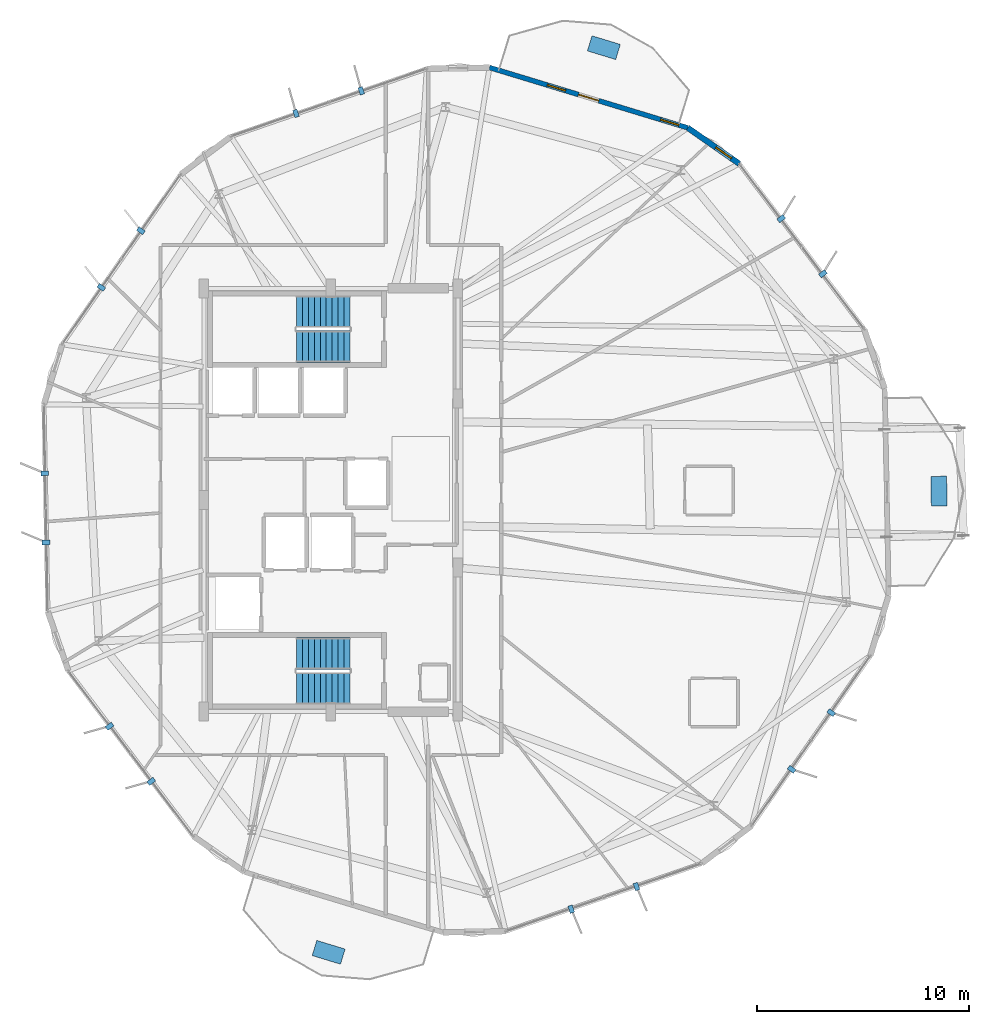
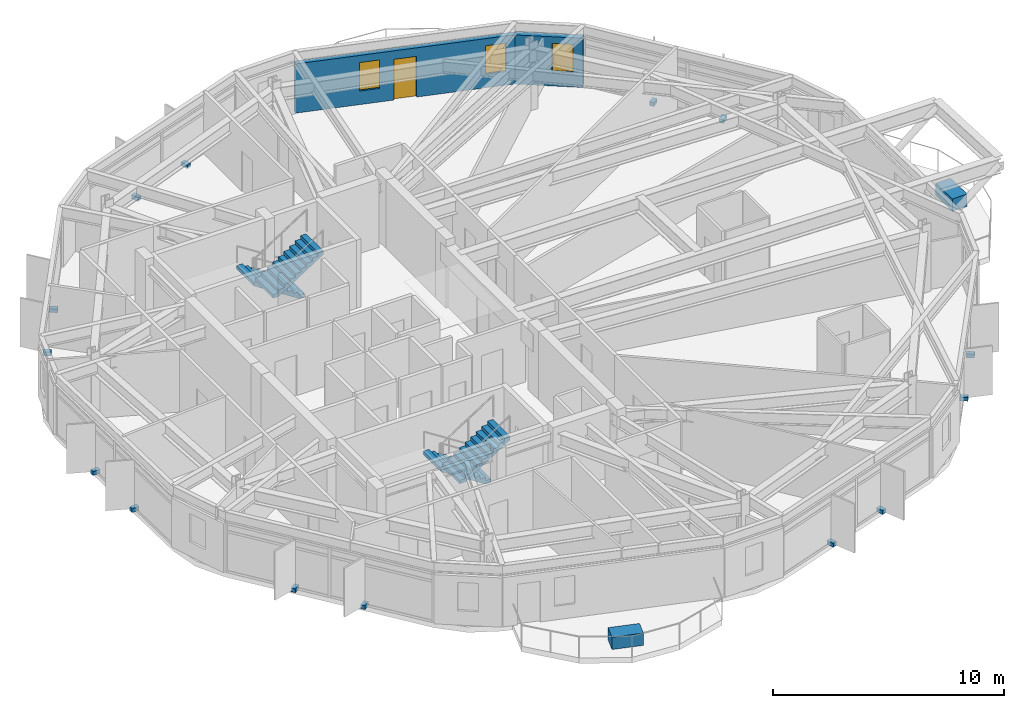
# One storey, part 31 of 34: 17 discrete accessories, 4 stair flights, 3 windows, 2 walls, 1 door, 4 openings, 2 elements without a shape of their own.
"""IFC4 building model written with IfcOpenShell, lengths in metres."""

from ifc_helpers import new_model, si_unit, direction, frame, frame_2d, origin, origin_2d, place, context, subcontext, project, spatial, polyline, rectangle, outline, extrude, material, layer, layer_set, type_object, element, fill, aggregate, save


model = new_model("IFC4")

# Units and contexts
model_context = context("Model", 3, precision=1e-05, world=origin(), true_north=direction((0.0, 1.0)))
body_context = subcontext(model_context, "Body", "Model", "MODEL_VIEW")
ifc_project = project(units=[si_unit("LENGTHUNIT", "METRE"), si_unit("AREAUNIT", "SQUARE_METRE"), si_unit("VOLUMEUNIT", "CUBIC_METRE"), si_unit("PLANEANGLEUNIT", "RADIAN"), si_unit("MASSUNIT", "GRAM", prefix="KILO")], contexts=[model_context])

# Site, building, storey
site_placement = place(None, origin())
site = spatial("IfcSite", under=ifc_project, at=site_placement, CompositionType="ELEMENT")
building_placement = place(site_placement, origin())
building = spatial("IfcBuilding", under=site, at=building_placement, Name="Soratama Intermodal Tower", CompositionType="ELEMENT")
storey_placement = place(building_placement, frame((0.0, 0.0, 233.800048828125)))
storey = spatial("IfcBuildingStorey", under=building, at=storey_placement, Name="L59", CompositionType="ELEMENT", Elevation=233.800048828125)

# Wall, openings, door, windows
ifc_material_1 = material(Name="Concrete f'c 42 MPa", Category="concrete")
ifc_layer_1 = layer(ifc_material_1, 0.22998046875)
ifc_layer_set_1 = layer_set([ifc_layer_1], Name="Concrete f'c 42 MPa")
wall_type_1 = type_object("IfcWallType", Name="EW-BAL-230", PredefinedType="SOLIDWALL", material=ifc_layer_set_1)
wall_1_placement = place(storey_placement, frame((55.4716796875, 42.5908203125, 0.0), z_axis=(0.0, 0.0, 1.0), x_axis=(-0.956709483024, 0.29104461014, 0.0)))
wall_1 = element("IfcWall", 1, at=wall_1_placement, inside=storey, type_object=wall_type_1, Name="L59 Terrace Wall F01", PredefinedType="SOLIDWALL", context=body_context, shape_type="SweptSolid", body=[
    extrude(rectangle(XDim=9.797607421875, YDim=0.22998046875, at=frame_2d((4.89892578125, 0.0))), origin(), (0.0, 0.0, 1.0), 2.598876953125),
])
opening_1_placement = place(wall_1_placement, frame((4.398681640625, 0.0, 0.0)))
opening_1 = element("IfcOpeningElement", 2, at=opening_1_placement, cuts=wall_1, Name="Opening ED-2", PredefinedType="OPENING", context=body_context, shape_type="SweptSolid", body=[
    extrude(rectangle(XDim=1.0, YDim=2.14990234375, at=frame_2d((0.5, 1.074951171875))), frame((0.0, 0.125, 0.0), z_axis=(0.0, -1.0, 0.0), x_axis=(1.0, 0.0, 0.0)), (0.0, 0.0, 1.0), 0.25),
])
opening_2_placement = place(wall_1_placement, frame((0.43994140625, 0.0, 0.719970703125)))
opening_2 = element("IfcOpeningElement", 3, at=opening_2_placement, cuts=wall_1, Name="Opening WN-6", PredefinedType="OPENING", context=body_context, shape_type="SweptSolid", body=[
    extrude(rectangle(XDim=0.89990234375, YDim=1.5, at=frame_2d((0.449951171875, 0.75))), frame((0.0, 0.125, 0.0), z_axis=(0.0, -1.0, 0.0), x_axis=(1.0, 0.0, 0.0)), (0.0, 0.0, 1.0), 0.25),
])
opening_3_placement = place(wall_1_placement, frame((6.038818359375, 0.0, 0.719970703125)))
opening_3 = element("IfcOpeningElement", 4, at=opening_3_placement, cuts=wall_1, Name="Opening WN-6", PredefinedType="OPENING", context=body_context, shape_type="SweptSolid", body=[
    extrude(rectangle(XDim=0.89990234375, YDim=1.5, at=frame_2d((0.449951171875, 0.75))), frame((0.0, 0.125, 0.0), z_axis=(0.0, -1.0, 0.0), x_axis=(1.0, 0.0, 0.0)), (0.0, 0.0, 1.0), 0.25),
])
ifc_material_2 = material(Name="Double-glazed aluminium door", Category="aluminium")
door_type = type_object("IfcDoorType", Name="DR-BAL-1000", OperationType="NOTDEFINED", PredefinedType="DOOR", material=ifc_material_2)
door_placement = place(opening_1_placement, origin())
door = element("IfcDoor", 5, at=door_placement, inside=storey, type_object=door_type, Name="L59 Balcony Door F01", OperationType="SINGLE_SWING_LEFT", OverallHeight=2.14990234375, OverallWidth=1.0, PredefinedType="DOOR", context=body_context, shape_type="SweptSolid", body=[
    extrude(rectangle(XDim=1.0, YDim=2.14990234375, at=frame_2d((0.5, 1.074951171875))), frame((0.0, 0.02490234375, 0.0), z_axis=(0.0, -1.0, 0.0), x_axis=(1.0, 0.0, 0.0)), (0.0, 0.0, 1.0), 0.050048828125),
])
fill(opening_1, door)
ifc_material_3 = material(Name="Double-glazed aluminium window", Category="aluminium")
window_type = type_object("IfcWindowType", Name="WN-FAC-900", PartitioningType="SINGLE_PANEL", PredefinedType="WINDOW", material=ifc_material_3)
window_1_placement = place(opening_2_placement, origin())
window_1 = element("IfcWindow", 6, at=window_1_placement, inside=storey, type_object=window_type, Name="L59 Window A F01", OverallHeight=1.5, OverallWidth=0.89990234375, PartitioningType="SINGLE_PANEL", PredefinedType="WINDOW", context=body_context, shape_type="SweptSolid", body=[
    extrude(rectangle(XDim=0.89990234375, YDim=1.5, at=frame_2d((0.449951171875, 0.75))), frame((0.0, 0.030029296875, 0.0), z_axis=(0.0, -1.0, 0.0), x_axis=(1.0, 0.0, 0.0)), (0.0, 0.0, 1.0), 0.06005859375),
])
fill(opening_2, window_1)
window_2_placement = place(opening_3_placement, origin())
window_2 = element("IfcWindow", 7, at=window_2_placement, inside=storey, type_object=window_type, Name="L59 Window B F01", OverallHeight=1.5, OverallWidth=0.89990234375, PartitioningType="SINGLE_PANEL", PredefinedType="WINDOW", context=body_context, shape_type="SweptSolid", body=[
    extrude(rectangle(XDim=0.89990234375, YDim=1.5, at=frame_2d((0.449951171875, 0.75))), frame((0.0, 0.030029296875, 0.0), z_axis=(0.0, -1.0, 0.0), x_axis=(1.0, 0.0, 0.0)), (0.0, 0.0, 1.0), 0.06005859375),
])
fill(opening_3, window_2)

# Wall, opening, window
ifc_material_4 = material(Name="Concrete f'c 42 MPa", Category="concrete")
ifc_layer_2 = layer(ifc_material_4, 0.27001953125)
ifc_layer_set_2 = layer_set([ifc_layer_2], Name="Concrete f'c 42 MPa")
wall_type_2 = type_object("IfcWallType", Name="EW-CRN-270", PredefinedType="SOLIDWALL", material=ifc_layer_set_2)
wall_2_placement = place(storey_placement, frame((57.904296875, 40.892578125, 0.0), z_axis=(0.0, 0.0, 1.0), x_axis=(-0.81995808367, 0.572423567845, 0.0)))
wall_2 = element("IfcWall", 8, at=wall_2_placement, inside=storey, type_object=wall_type_2, Name="L59 Corner Closure Wall 10", PredefinedType="SOLIDWALL", context=body_context, shape_type="SweptSolid", body=[
    extrude(rectangle(XDim=2.966796875, YDim=0.27001953125, at=frame_2d((1.4833984375, 0.0))), origin(), (0.0, 0.0, 1.0), 2.598876953125),
])
opening_4_placement = place(wall_2_placement, frame((0.449951171875, 0.0, 0.75)))
opening_4 = element("IfcOpeningElement", 9, at=opening_4_placement, cuts=wall_2, Name="Opening WN-6", PredefinedType="OPENING", context=body_context, shape_type="SweptSolid", body=[
    extrude(rectangle(XDim=0.89990234375, YDim=1.5, at=frame_2d((0.449951171875, 0.75))), frame((0.0, 0.14501953125, 0.0), z_axis=(0.0, -1.0, 0.0), x_axis=(1.0, 0.0, 0.0)), (0.0, 0.0, 1.0), 0.2900390625),
])
window_3_placement = place(opening_4_placement, origin())
window_3 = element("IfcWindow", 10, at=window_3_placement, inside=storey, type_object=window_type, Name="L59 Corner Window 10", OverallHeight=1.5, OverallWidth=0.89990234375, PartitioningType="SINGLE_PANEL", PredefinedType="WINDOW", context=body_context, shape_type="SweptSolid", body=[
    extrude(rectangle(XDim=0.89990234375, YDim=1.5, at=frame_2d((0.449951171875, 0.75))), frame((0.0, 0.030029296875, 0.0), z_axis=(0.0, -1.0, 0.0), x_axis=(1.0, 0.0, 0.0)), (0.0, 0.0, 1.0), 0.06005859375),
])
fill(opening_4, window_3)

# Stair, stair flights
ifc_material_5 = material(Name="Concrete f'c 42 MPa", Category="concrete")
stair_type = type_object("IfcStairType", Name="ST-CORE-DOGLEG", PredefinedType="HALF_TURN_STAIR", material=ifc_material_5)
stair_1_placement = place(storey_placement, origin())
stair_1 = element("IfcStair", 11, at=stair_1_placement, inside=storey, type_object=stair_type, Name="L59 ST-1", PredefinedType="HALF_TURN_STAIR")
ifc_material_6 = material(Name="Precast concrete f'c 40 MPa", Category="concrete")
ifc_layer_3 = layer(ifc_material_6, 0.199951171875)
ifc_layer_set_3 = layer_set([ifc_layer_3], Name="Precast concrete f'c 40 MPa")
stair_flight_type = type_object("IfcStairFlightType", Name="SF-FLIGHT-RC", PredefinedType="STRAIGHT", material=ifc_layer_set_3)
stair_flight_1_placement = place(storey_placement, frame((39.5, 17.75, 0.0), z_axis=(0.0, 0.0, 1.0), x_axis=(-1.0, 0.0, 0.0)))
stair_flight_1 = element("IfcStairFlight", 12, at=stair_flight_1_placement, type_object=stair_flight_type, Name="ST-1 flight 1", NumberOfRisers=10, NumberOfTreads=9, PredefinedType="STRAIGHT", RiserHeight=0.18, TreadLength=0.28, context=body_context, shape_type="SweptSolid", body=[
    extrude(outline(polyline([(0.0, 0.0), (0.0, 0.179931640625), (0.280029296875, 0.179931640625), (0.280029296875, 0.360107421875), (0.56005859375, 0.360107421875), (0.56005859375, 0.5400390625), (0.840087890625, 0.5400390625), (0.840087890625, 0.719970703125), (1.1201171875, 0.719970703125), (1.1201171875, 0.89990234375), (1.39990234375, 0.89990234375), (1.39990234375, 1.080078125), (1.679931640625, 1.080078125), (1.679931640625, 1.260009765625), (1.9599609375, 1.260009765625), (1.9599609375, 1.43994140625), (2.239990234375, 1.43994140625), (2.239990234375, 1.6201171875), (2.52001953125, 1.6201171875), (2.52001953125, 1.800048828125), (2.52001953125, 1.44189453125), (0.277099609375, 0.0), (0.0, 0.0)])), frame((0.0, 0.75, 0.0), z_axis=(0.0, -1.0, 0.0), x_axis=(1.0, 0.0, 0.0)), (0.0, 0.0, 1.0), 1.5),
])
stair_flight_2_placement = place(storey_placement, frame((36.97998046875, 16.10009765625, 1.800048828125), z_axis=(0.0, 0.0, 1.0), x_axis=(1.0, 0.0, 0.0)))
stair_flight_2 = element("IfcStairFlight", 13, at=stair_flight_2_placement, type_object=stair_flight_type, Name="ST-1 flight 2", NumberOfRisers=10, NumberOfTreads=9, PredefinedType="STRAIGHT", RiserHeight=0.18, TreadLength=0.28, context=body_context, shape_type="SweptSolid", body=[
    extrude(outline(polyline([(0.0, 0.0), (0.0, 0.179931640625), (0.280029296875, 0.179931640625), (0.280029296875, 0.360107421875), (0.56005859375, 0.360107421875), (0.56005859375, 0.5400390625), (0.840087890625, 0.5400390625), (0.840087890625, 0.719970703125), (1.1201171875, 0.719970703125), (1.1201171875, 0.89990234375), (1.39990234375, 0.89990234375), (1.39990234375, 1.080078125), (1.679931640625, 1.080078125), (1.679931640625, 1.260009765625), (1.9599609375, 1.260009765625), (1.9599609375, 1.43994140625), (2.239990234375, 1.43994140625), (2.239990234375, 1.6201171875), (2.52001953125, 1.6201171875), (2.52001953125, 1.800048828125), (2.52001953125, 1.44189453125), (0.277099609375, 0.0), (0.0, 0.0)])), frame((0.0, 0.75, 0.0), z_axis=(0.0, -1.0, 0.0), x_axis=(1.0, 0.0, 0.0)), (0.0, 0.0, 1.0), 1.5),
])
aggregate(stair_1, [stair_flight_1, stair_flight_2])

stair_2_placement = place(storey_placement, origin())
stair_2 = element("IfcStair", 14, at=stair_2_placement, inside=storey, type_object=stair_type, Name="L59 ST-2", PredefinedType="HALF_TURN_STAIR")
stair_flight_3_placement = place(storey_placement, frame((39.5, 33.89990234375, 0.0), z_axis=(0.0, 0.0, 1.0), x_axis=(-1.0, 0.0, 0.0)))
stair_flight_3 = element("IfcStairFlight", 15, at=stair_flight_3_placement, type_object=stair_flight_type, Name="ST-2 flight 1", NumberOfRisers=10, NumberOfTreads=9, PredefinedType="STRAIGHT", RiserHeight=0.18, TreadLength=0.28, context=body_context, shape_type="SweptSolid", body=[
    extrude(outline(polyline([(0.0, 0.0), (0.0, 0.179931640625), (0.280029296875, 0.179931640625), (0.280029296875, 0.360107421875), (0.56005859375, 0.360107421875), (0.56005859375, 0.5400390625), (0.840087890625, 0.5400390625), (0.840087890625, 0.719970703125), (1.1201171875, 0.719970703125), (1.1201171875, 0.89990234375), (1.39990234375, 0.89990234375), (1.39990234375, 1.080078125), (1.679931640625, 1.080078125), (1.679931640625, 1.260009765625), (1.9599609375, 1.260009765625), (1.9599609375, 1.43994140625), (2.239990234375, 1.43994140625), (2.239990234375, 1.6201171875), (2.52001953125, 1.6201171875), (2.52001953125, 1.800048828125), (2.52001953125, 1.44189453125), (0.277099609375, 0.0), (0.0, 0.0)])), frame((0.0, 0.75, 0.0), z_axis=(0.0, -1.0, 0.0), x_axis=(1.0, 0.0, 0.0)), (0.0, 0.0, 1.0), 1.5),
])
stair_flight_4_placement = place(storey_placement, frame((36.97998046875, 32.25, 1.800048828125), z_axis=(0.0, 0.0, 1.0), x_axis=(1.0, 0.0, 0.0)))
stair_flight_4 = element("IfcStairFlight", 16, at=stair_flight_4_placement, type_object=stair_flight_type, Name="ST-2 flight 2", NumberOfRisers=10, NumberOfTreads=9, PredefinedType="STRAIGHT", RiserHeight=0.18, TreadLength=0.28, context=body_context, shape_type="SweptSolid", body=[
    extrude(outline(polyline([(0.0, 0.0), (0.0, 0.179931640625), (0.280029296875, 0.179931640625), (0.280029296875, 0.360107421875), (0.56005859375, 0.360107421875), (0.56005859375, 0.5400390625), (0.840087890625, 0.5400390625), (0.840087890625, 0.719970703125), (1.1201171875, 0.719970703125), (1.1201171875, 0.89990234375), (1.39990234375, 0.89990234375), (1.39990234375, 1.080078125), (1.679931640625, 1.080078125), (1.679931640625, 1.260009765625), (1.9599609375, 1.260009765625), (1.9599609375, 1.43994140625), (2.239990234375, 1.43994140625), (2.239990234375, 1.6201171875), (2.52001953125, 1.6201171875), (2.52001953125, 1.800048828125), (2.52001953125, 1.44189453125), (0.277099609375, 0.0), (0.0, 0.0)])), frame((0.0, 0.75, 0.0), z_axis=(0.0, -1.0, 0.0), x_axis=(1.0, 0.0, 0.0)), (0.0, 0.0, 1.0), 1.5),
])
aggregate(stair_2, [stair_flight_3, stair_flight_4])

# Discrete accessories
ifc_material_7 = material(Name="Structural steel ASTM A992 Grade 50", Category="steel")
discrete_accessory_type_1 = type_object("IfcDiscreteAccessoryType", Name="AC-FIN-BRACKET", PredefinedType="BRACKET", material=ifc_material_7)
for number, where, z_axis, x_axis, name in (
    (17, (40.0390625, 44.337890625, -0.080078125), (0.0, 0.0, 1.0), (-0.326888029655, 0.94506307518, 0.0), "L59 Fin Bracket F02-1"),
    (18, (36.95263671875, 43.270263671875, -0.080078125), (0.0, 0.0, 1.0), (-0.326888029655, 0.94506307518, 0.0), "L59 Fin Bracket F02-2"),
    (19, (29.6201171875, 37.728759765625, -0.080078125), (0.0, 0.0, 1.0), (-0.819952109325, 0.572432125595, 0.0), "L59 Fin Bracket F03-1"),
    (20, (27.75048828125, 35.05078125, -0.080078125), (0.0, 0.0, 1.0), (-0.819952109325, 0.572432125595, 0.0), "L59 Fin Bracket F03-2"),
    (21, (25.07568359375, 26.257568359375, -0.080078125), (0.0, 0.0, 1.0), (-0.999822352381, -0.018848439715, 0.0), "L59 Fin Bracket F04-1"),
    (22, (25.13720703125, 22.9921875, -0.080078125), (0.0, 0.0, 1.0), (-0.999822352381, -0.018848439715, 0.0), "L59 Fin Bracket F04-2"),
    (23, (28.1416015625, 14.30615234375, -0.080078125), (0.0, 0.0, 1.0), (-0.797794439539, -0.602929541689, 0.0), "L59 Fin Bracket F05-1"),
    (24, (30.110595703125, 11.70068359375, -0.080078125), (0.0, 0.0, 1.0), (-0.797794439539, -0.602929541689, 0.0), "L59 Fin Bracket F05-2"),
    (25, (49.9609375, 5.662109375, -0.080078125), (0.0, 0.0, 1.0), (0.326888029655, -0.94506307518, 0.0), "L59 Fin Bracket F07-1"),
    (26, (53.04736328125, 6.729736328125, -0.080078125), (0.0, 0.0, 1.0), (0.326888029655, -0.94506307518, 0.0), "L59 Fin Bracket F07-2"),
    (27, (60.3798828125, 12.271240234375, -0.080078125), (0.0, 0.0, 1.0), (0.819952109325, -0.572432125595, 0.0), "L59 Fin Bracket F08-1"),
    (28, (62.24951171875, 14.94921875, -0.080078125), (0.0, 0.0, 1.0), (0.819952109325, -0.572432125595, 0.0), "L59 Fin Bracket F08-2"),
    (29, (61.8583984375, 35.69384765625, -0.080078125), (0.0, 0.0, 1.0), (0.797794439539, 0.602929541689, 0.0), "L59 Fin Bracket F10-1"),
    (30, (59.889404296875, 38.29931640625, -0.080078125), (0.0, 0.0, 1.0), (0.797794439539, 0.602929541689, 0.0), "L59 Fin Bracket F10-2"),
):
    element("IfcDiscreteAccessory", number, at=place(storey_placement, frame(where, z_axis=z_axis, x_axis=x_axis)), inside=storey, type_object=discrete_accessory_type_1, Name=name, PredefinedType="BRACKET", context=body_context, shape_type="SweptSolid", body=[
        extrude(rectangle(XDim=0.360107421875, YDim=0.219970703125, at=origin_2d()), origin(), (0.0, 0.0, 1.0), 0.199951171875),
    ])
ifc_material_8 = material(Name="Precast concrete f'c 40 MPa", Category="concrete")
discrete_accessory_type_2 = type_object("IfcDiscreteAccessoryType", Name="AC-PLANTER-TREE", PredefinedType="USERDEFINED", material=ifc_material_8)
for number, where, z_axis, x_axis, name in (
    (31, (67.343017578125, 25.421142578125, 0.0), (0.0, 0.0, 1.0), (0.999822352381, 0.018848439715, 0.0), "L59 Tree Planter 1"),
    (32, (51.50390625, 46.379638671875, 0.0), (0.0, 0.0, 1.0), (0.291036166828, 0.956712051559, 0.0), "L59 Tree Planter 2"),
    (33, (38.49609375, 3.620361328125, 0.0), (0.0, 0.0, 1.0), (-0.291036166828, -0.956712051559, 0.0), "L59 Tree Planter 3"),
):
    element("IfcDiscreteAccessory", number, at=place(storey_placement, frame(where, z_axis=z_axis, x_axis=x_axis)), inside=storey, type_object=discrete_accessory_type_2, Name=name, ObjectType="PLANTER", PredefinedType="USERDEFINED", context=body_context, shape_type="SweptSolid", body=[
        extrude(rectangle(XDim=0.75, YDim=1.39990234375, at=origin_2d()), origin(), (0.0, 0.0, 1.0), 0.64990234375),
    ])

save(model, "model.ifc")
